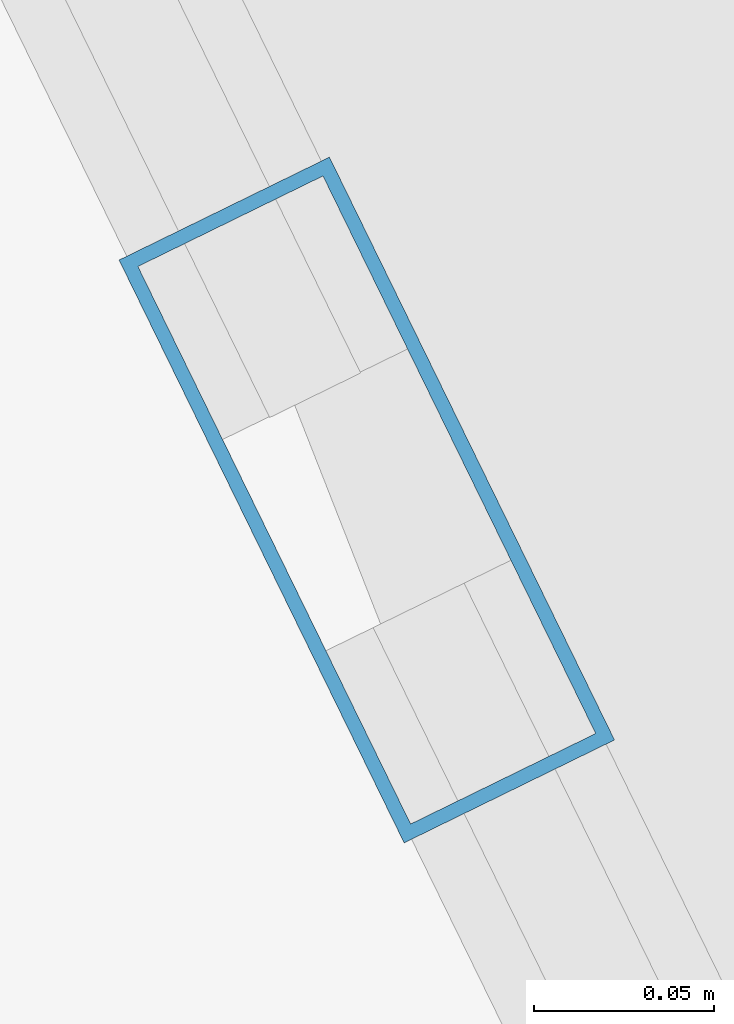
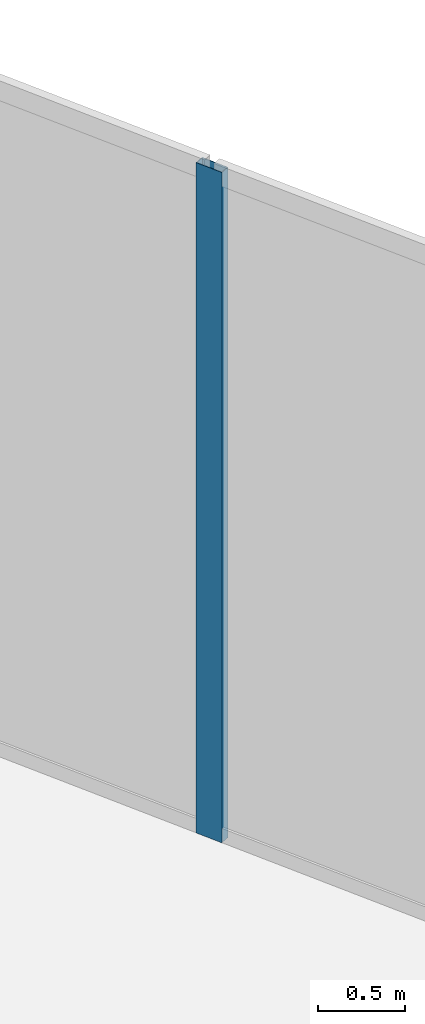
# One storey, part 16 of 33: 1 member, 1 element without a shape of its own.
"""IFC4 building model written with IfcOpenShell, lengths in metres."""

from ifc_helpers import new_model, si_unit, direction, frame, origin, origin_2d, place, context, subcontext, project, spatial, hollow_rectangle, extrude, source, transform, mapped, material, layer, layer_set, material_profile, profile_set, type_object, element, aggregate, save


model = new_model("IFC4")

# Units and contexts
model_context = context("Model", 3, precision=1e-05, world=origin(), true_north=direction((0.0, 1.0)))
body_context = subcontext(model_context, "Body", "Model", "MODEL_VIEW")
ifc_project = project(units=[si_unit("LENGTHUNIT", "METRE"), si_unit("AREAUNIT", "SQUARE_METRE"), si_unit("VOLUMEUNIT", "CUBIC_METRE"), si_unit("PLANEANGLEUNIT", "RADIAN"), si_unit("MASSUNIT", "GRAM", prefix="KILO"), si_unit("THERMODYNAMICTEMPERATUREUNIT", "KELVIN"), si_unit("POWERUNIT", "WATT")], contexts=[model_context])

# Site, building, storey
site_placement = place(None, origin())
site = spatial("IfcSite", under=ifc_project, at=site_placement, CompositionType="ELEMENT")
building_placement = place(site_placement, origin())
building = spatial("IfcBuilding", under=site, at=building_placement, Name="Yunzhuo Pagoda Commons", CompositionType="ELEMENT")
storey_placement = place(building_placement, frame((0.0, 0.0, 386.760009765625)))
storey = spatial("IfcBuildingStorey", under=building, at=storey_placement, Name="L96", CompositionType="ELEMENT", Elevation=386.760009765625)

# Curtain wall, member
ifc_material = material(Name="Anodized aluminium 6063-T6", Category="aluminium")
ifc_layer = layer(ifc_material, 0.179931640625)
ifc_layer_set = layer_set([ifc_layer], Name="Anodized aluminium 6063-T6")
curtain_wall_type = type_object("IfcCurtainWallType", Name="CW-CRN Crown Gable Glazing System", PredefinedType="NOTDEFINED", material=ifc_layer_set)
curtain_wall_placement = place(storey_placement, origin())
curtain_wall = element("IfcCurtainWall", 1, at=curtain_wall_placement, inside=storey, type_object=curtain_wall_type, Name="L96 curtain wall CW-L96-CRNF2G1", PredefinedType="NOTDEFINED")
ifc_material_profile = material_profile(ifc_material, hollow_rectangle(XDim=0.06494140625, YDim=0.179931640625, WallThickness=0.00390625, at=origin_2d()), Name="Anodized aluminium 6063-T6")
ifc_profile_set = profile_set([ifc_material_profile], Name="Anodized aluminium 6063-T6")
member_type = type_object("IfcMemberType", Name="CW-CRN-M Mullion RHS 180x65x4", PredefinedType="MULLION", material=ifc_profile_set)
shared_shape = source(origin(), body_context, "Body", "SweptSolid", [
    extrude(hollow_rectangle(XDim=0.06494140625, YDim=0.179931640625, WallThickness=0.00390625, at=origin_2d()), origin(), (0.0, 0.0, 1.0), 4.72021484375),
])
member_placement = place(storey_placement, frame((69.42578125, 39.20263671875, 0.0), z_axis=(0.0, 0.0, 1.0), x_axis=(-0.898299261226, -0.439384156839, 0.0)))
member = element("IfcMember", 2, at=member_placement, type_object=member_type, Name="CW mullion 2", PredefinedType="MULLION", context=body_context, shape_type="MappedRepresentation", body=[
    mapped(shared_shape, transform((0.0, 0.0, 0.0), scale=1.0)),
])
aggregate(curtain_wall, [member])

save(model, "model.ifc")
